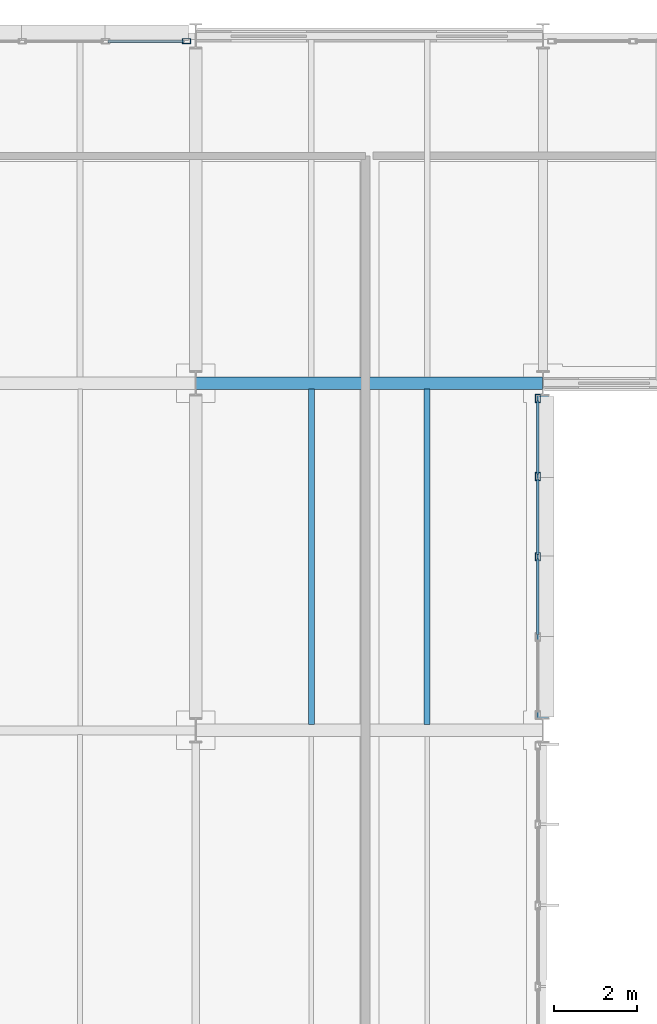
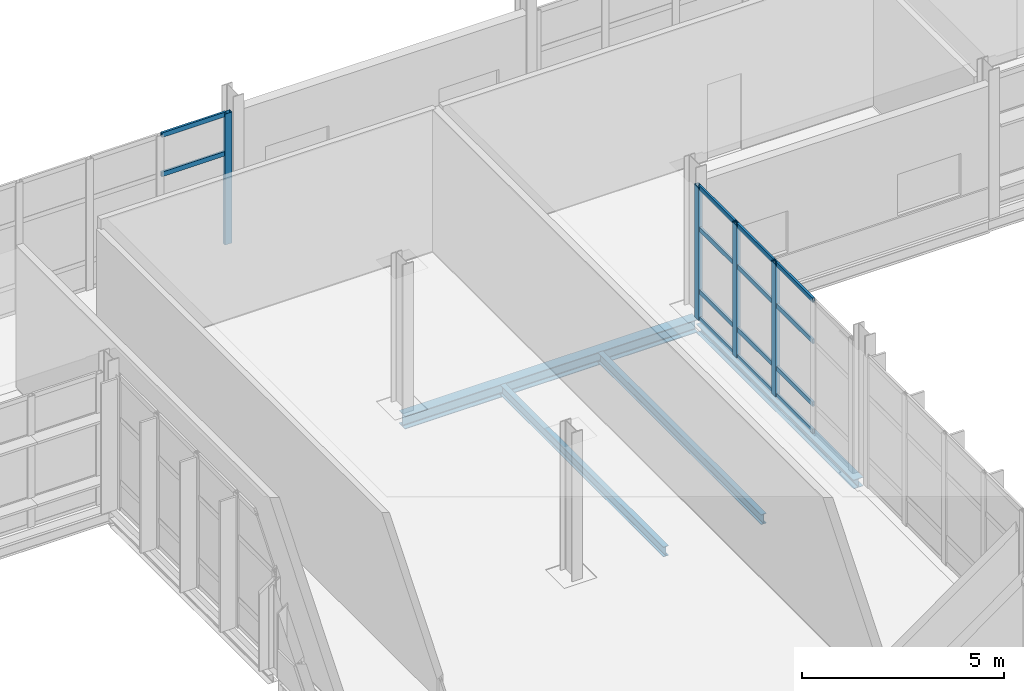
# One storey, part 57 of 129: 18 members, 4 beams, 2 elements without a shape of their own.
"""IFC4 building model written with IfcOpenShell, lengths in metres."""

from ifc_helpers import new_model, si_unit, direction, frame, origin, origin_2d, place, context, subcontext, project, spatial, hollow_rectangle, i_section, extrude, material, material_profile, profile_set, type_object, element, aggregate, save


model = new_model("IFC4")

# Units and contexts
model_context = context("Model", 3, precision=1e-05, world=origin(), true_north=direction((0.0, 1.0)))
body_context = subcontext(model_context, "Body", "Model", "MODEL_VIEW")
ifc_project = project(units=[si_unit("LENGTHUNIT", "METRE"), si_unit("AREAUNIT", "SQUARE_METRE"), si_unit("VOLUMEUNIT", "CUBIC_METRE"), si_unit("PLANEANGLEUNIT", "RADIAN"), si_unit("MASSUNIT", "GRAM", prefix="KILO")], contexts=[model_context])

# Site, building, storey
site_placement = place(None, origin())
site = spatial("IfcSite", under=ifc_project, at=site_placement, CompositionType="ELEMENT")
building_placement = place(site_placement, origin())
building = spatial("IfcBuilding", under=site, at=building_placement, Name="Mersafa Astral City Hall", CompositionType="ELEMENT")
storey_placement = place(building_placement, frame((0.0, 0.0, 5.39990234375)))
storey = spatial("IfcBuildingStorey", under=building, at=storey_placement, Name="L01", CompositionType="ELEMENT", Elevation=5.39990234375)

# Curtain wall, members
ifc_material_1 = material(Name="Anodised bronze aluminium framing", Category="aluminium")
curtain_wall_type = type_object("IfcCurtainWallType", Name="ENV-CW-6", PredefinedType="USERDEFINED", material=ifc_material_1)
curtain_wall_1_placement = place(storey_placement, origin())
curtain_wall_1 = element("IfcCurtainWall", 1, at=curtain_wall_1_placement, inside=storey, type_object=curtain_wall_type, Name="L01 Unitised solar curtain wall 59", ObjectType="UNITISED CURTAIN WALL", PredefinedType="USERDEFINED")
ifc_material_profile_1 = material_profile(ifc_material_1, hollow_rectangle(XDim=0.1201171875, YDim=0.199951171875, WallThickness=0.008056640625, at=origin_2d()), Name="RHS 120x200x8")
ifc_profile_set_1 = profile_set([ifc_material_profile_1], Name="Anodised bronze aluminium framing")
member_type_1 = type_object("IfcMemberType", Name="ENV-CW-MUL-2", PredefinedType="MULLION", material=ifc_profile_set_1)
member_1_placement = place(storey_placement, frame((117.47998046875, 113.39990234375, -0.001953125), z_axis=(0.0, 0.0, 1.0), x_axis=(-1.0, 0.0, 0.0)))
member_1 = element("IfcMember", 2, at=member_1_placement, type_object=member_type_1, Name="CW-6 mullion 3", PredefinedType="MULLION", context=body_context, shape_type="SweptSolid", body=[
    extrude(hollow_rectangle(XDim=0.1201171875, YDim=0.199951171875, WallThickness=0.008056640625, at=origin_2d()), origin(), (0.0, 0.0, 1.0), 4.029052734375),
])
member_2_placement = place(storey_placement, frame((117.47998046875, 115.343994140625, -0.001953125), z_axis=(0.0, 0.0, 1.0), x_axis=(-1.0, 0.0, 0.0)))
member_2 = element("IfcMember", 3, at=member_2_placement, type_object=member_type_1, Name="CW-6 mullion 4", PredefinedType="MULLION", context=body_context, shape_type="SweptSolid", body=[
    extrude(hollow_rectangle(XDim=0.1201171875, YDim=0.199951171875, WallThickness=0.008056640625, at=origin_2d()), origin(), (0.0, 0.0, 1.0), 4.029052734375),
])
member_3_placement = place(storey_placement, frame((117.47998046875, 117.22802734375, -0.001953125), z_axis=(0.0, 0.0, 1.0), x_axis=(-1.0, 0.0, 0.0)))
member_3 = element("IfcMember", 4, at=member_3_placement, type_object=member_type_1, Name="CW-6 mullion 5", PredefinedType="MULLION", context=body_context, shape_type="SweptSolid", body=[
    extrude(hollow_rectangle(XDim=0.1201171875, YDim=0.199951171875, WallThickness=0.008056640625, at=origin_2d()), origin(), (0.0, 0.0, 1.0), 4.029052734375),
])

# Curtain wall, member
curtain_wall_2_placement = place(storey_placement, origin())
curtain_wall_2 = element("IfcCurtainWall", 5, at=curtain_wall_2_placement, inside=storey, type_object=curtain_wall_type, Name="L01 Unitised solar curtain wall 77", ObjectType="UNITISED CURTAIN WALL", PredefinedType="USERDEFINED")
member_4_placement = place(storey_placement, frame((108.97802734375, 125.8798828125, -0.001953125), z_axis=(0.0, 0.0, 1.0), x_axis=(0.0, -1.0, 0.0)))
member_4 = element("IfcMember", 6, at=member_4_placement, type_object=member_type_1, Name="CW-6 mullion 1", PredefinedType="MULLION", context=body_context, shape_type="SweptSolid", body=[
    extrude(hollow_rectangle(XDim=0.1201171875, YDim=0.199951171875, WallThickness=0.008056640625, at=origin_2d()), origin(), (0.0, 0.0, 1.0), 3.968994140625),
])

# Member
ifc_material_profile_2 = material_profile(ifc_material_1, hollow_rectangle(XDim=0.06005859375, YDim=0.139892578125, WallThickness=0.00390625, at=origin_2d()), Name="RHS 60x140x4")
ifc_profile_set_2 = profile_set([ifc_material_profile_2], Name="Anodised bronze aluminium framing")
member_type_2 = type_object("IfcMemberType", Name="ENV-CW-TRN-1", PredefinedType="USERDEFINED", material=ifc_profile_set_2)
member_5_placement = place(storey_placement, frame((117.47998046875, 111.51611328125, 0.028076171875), z_axis=(0.0, 1.0, 0.0), x_axis=(-1.0, 0.0, 0.0)))
member_5 = element("IfcMember", 7, at=member_5_placement, type_object=member_type_2, Name="CW-6 transom 2.1", ObjectType="TRANSOM", PredefinedType="USERDEFINED", context=body_context, shape_type="SweptSolid", body=[
    extrude(hollow_rectangle(XDim=0.06005859375, YDim=0.139892578125, WallThickness=0.00390625, at=origin_2d()), origin(), (0.0, 0.0, 1.0), 1.823974609375),
])

member_6_placement = place(storey_placement, frame((117.47998046875, 111.51611328125, 0.85009765625), z_axis=(0.0, 1.0, 0.0), x_axis=(-1.0, 0.0, 0.0)))
member_6 = element("IfcMember", 8, at=member_6_placement, type_object=member_type_2, Name="CW-6 transom 2.2", ObjectType="TRANSOM", PredefinedType="USERDEFINED", context=body_context, shape_type="SweptSolid", body=[
    extrude(hollow_rectangle(XDim=0.06005859375, YDim=0.139892578125, WallThickness=0.00390625, at=origin_2d()), origin(), (0.0, 0.0, 1.0), 1.823974609375),
])

member_7_placement = place(storey_placement, frame((117.47998046875, 111.51611328125, 2.75), z_axis=(0.0, 1.0, 0.0), x_axis=(-1.0, 0.0, 0.0)))
member_7 = element("IfcMember", 9, at=member_7_placement, type_object=member_type_2, Name="CW-6 transom 2.3", ObjectType="TRANSOM", PredefinedType="USERDEFINED", context=body_context, shape_type="SweptSolid", body=[
    extrude(hollow_rectangle(XDim=0.06005859375, YDim=0.139892578125, WallThickness=0.00390625, at=origin_2d()), origin(), (0.0, 0.0, 1.0), 1.823974609375),
])

member_8_placement = place(storey_placement, frame((117.47998046875, 111.51611328125, 3.9970703125), z_axis=(0.0, 1.0, 0.0), x_axis=(-1.0, 0.0, 0.0)))
member_8 = element("IfcMember", 10, at=member_8_placement, type_object=member_type_2, Name="CW-6 transom 2.4", ObjectType="TRANSOM", PredefinedType="USERDEFINED", context=body_context, shape_type="SweptSolid", body=[
    extrude(hollow_rectangle(XDim=0.06005859375, YDim=0.139892578125, WallThickness=0.00390625, at=origin_2d()), origin(), (0.0, 0.0, 1.0), 1.823974609375),
])

member_9_placement = place(storey_placement, frame((117.47998046875, 113.4599609375, 0.028076171875), z_axis=(0.0, 1.0, 0.0), x_axis=(-1.0, 0.0, 0.0)))
member_9 = element("IfcMember", 11, at=member_9_placement, type_object=member_type_2, Name="CW-6 transom 3.1", ObjectType="TRANSOM", PredefinedType="USERDEFINED", context=body_context, shape_type="SweptSolid", body=[
    extrude(hollow_rectangle(XDim=0.06005859375, YDim=0.139892578125, WallThickness=0.00390625, at=origin_2d()), origin(), (0.0, 0.0, 1.0), 1.823974609375),
])

member_10_placement = place(storey_placement, frame((117.47998046875, 113.4599609375, 0.85009765625), z_axis=(0.0, 1.0, 0.0), x_axis=(-1.0, 0.0, 0.0)))
member_10 = element("IfcMember", 12, at=member_10_placement, type_object=member_type_2, Name="CW-6 transom 3.2", ObjectType="TRANSOM", PredefinedType="USERDEFINED", context=body_context, shape_type="SweptSolid", body=[
    extrude(hollow_rectangle(XDim=0.06005859375, YDim=0.139892578125, WallThickness=0.00390625, at=origin_2d()), origin(), (0.0, 0.0, 1.0), 1.823974609375),
])

member_11_placement = place(storey_placement, frame((117.47998046875, 113.4599609375, 2.75), z_axis=(0.0, 1.0, 0.0), x_axis=(-1.0, 0.0, 0.0)))
member_11 = element("IfcMember", 13, at=member_11_placement, type_object=member_type_2, Name="CW-6 transom 3.3", ObjectType="TRANSOM", PredefinedType="USERDEFINED", context=body_context, shape_type="SweptSolid", body=[
    extrude(hollow_rectangle(XDim=0.06005859375, YDim=0.139892578125, WallThickness=0.00390625, at=origin_2d()), origin(), (0.0, 0.0, 1.0), 1.823974609375),
])

member_12_placement = place(storey_placement, frame((117.47998046875, 113.4599609375, 3.9970703125), z_axis=(0.0, 1.0, 0.0), x_axis=(-1.0, 0.0, 0.0)))
member_12 = element("IfcMember", 14, at=member_12_placement, type_object=member_type_2, Name="CW-6 transom 3.4", ObjectType="TRANSOM", PredefinedType="USERDEFINED", context=body_context, shape_type="SweptSolid", body=[
    extrude(hollow_rectangle(XDim=0.06005859375, YDim=0.139892578125, WallThickness=0.00390625, at=origin_2d()), origin(), (0.0, 0.0, 1.0), 1.823974609375),
])

member_13_placement = place(storey_placement, frame((117.47998046875, 115.404052734375, 0.028076171875), z_axis=(0.0, 1.0, 0.0), x_axis=(-1.0, 0.0, 0.0)))
member_13 = element("IfcMember", 15, at=member_13_placement, type_object=member_type_2, Name="CW-6 transom 4.1", ObjectType="TRANSOM", PredefinedType="USERDEFINED", context=body_context, shape_type="SweptSolid", body=[
    extrude(hollow_rectangle(XDim=0.06005859375, YDim=0.139892578125, WallThickness=0.00390625, at=origin_2d()), origin(), (0.0, 0.0, 1.0), 1.763916015625),
])

member_14_placement = place(storey_placement, frame((117.47998046875, 115.404052734375, 0.85009765625), z_axis=(0.0, 1.0, 0.0), x_axis=(-1.0, 0.0, 0.0)))
member_14 = element("IfcMember", 16, at=member_14_placement, type_object=member_type_2, Name="CW-6 transom 4.2", ObjectType="TRANSOM", PredefinedType="USERDEFINED", context=body_context, shape_type="SweptSolid", body=[
    extrude(hollow_rectangle(XDim=0.06005859375, YDim=0.139892578125, WallThickness=0.00390625, at=origin_2d()), origin(), (0.0, 0.0, 1.0), 1.763916015625),
])

member_15_placement = place(storey_placement, frame((117.47998046875, 115.404052734375, 2.75), z_axis=(0.0, 1.0, 0.0), x_axis=(-1.0, 0.0, 0.0)))
member_15 = element("IfcMember", 17, at=member_15_placement, type_object=member_type_2, Name="CW-6 transom 4.3", ObjectType="TRANSOM", PredefinedType="USERDEFINED", context=body_context, shape_type="SweptSolid", body=[
    extrude(hollow_rectangle(XDim=0.06005859375, YDim=0.139892578125, WallThickness=0.00390625, at=origin_2d()), origin(), (0.0, 0.0, 1.0), 1.763916015625),
])

member_16_placement = place(storey_placement, frame((117.47998046875, 115.404052734375, 3.9970703125), z_axis=(0.0, 1.0, 0.0), x_axis=(-1.0, 0.0, 0.0)))
member_16 = element("IfcMember", 18, at=member_16_placement, type_object=member_type_2, Name="CW-6 transom 4.4", ObjectType="TRANSOM", PredefinedType="USERDEFINED", context=body_context, shape_type="SweptSolid", body=[
    extrude(hollow_rectangle(XDim=0.06005859375, YDim=0.139892578125, WallThickness=0.00390625, at=origin_2d()), origin(), (0.0, 0.0, 1.0), 1.763916015625),
])

aggregate(curtain_wall_1, [member_1, member_2, member_3, member_5, member_6, member_7, member_8, member_9, member_10, member_11, member_12, member_13, member_14, member_15, member_16])

member_17_placement = place(storey_placement, frame((108.91796875, 125.8798828125, 2.75), z_axis=(-1.0, 0.0, 0.0), x_axis=(0.0, -1.0, 0.0)))
member_17 = element("IfcMember", 19, at=member_17_placement, type_object=member_type_2, Name="CW-6 transom 1.3", ObjectType="TRANSOM", PredefinedType="USERDEFINED", context=body_context, shape_type="SweptSolid", body=[
    extrude(hollow_rectangle(XDim=0.06005859375, YDim=0.139892578125, WallThickness=0.00390625, at=origin_2d()), origin(), (0.0, 0.0, 1.0), 1.8388671875),
])

member_18_placement = place(storey_placement, frame((108.91796875, 125.8798828125, 3.93701171875), z_axis=(-1.0, 0.0, 0.0), x_axis=(0.0, -1.0, 0.0)))
member_18 = element("IfcMember", 20, at=member_18_placement, type_object=member_type_2, Name="CW-6 transom 1.4", ObjectType="TRANSOM", PredefinedType="USERDEFINED", context=body_context, shape_type="SweptSolid", body=[
    extrude(hollow_rectangle(XDim=0.06005859375, YDim=0.139892578125, WallThickness=0.00390625, at=origin_2d()), origin(), (0.0, 0.0, 1.0), 1.8388671875),
])

aggregate(curtain_wall_2, [member_4, member_17, member_18])

# Beams
ifc_material_2 = material(Name="Steel S355", Category="steel")
ifc_material_profile_3 = material_profile(ifc_material_2, i_section(OverallWidth=0.300048828125, OverallDepth=0.389892578125, WebThickness=0.010986328125, FlangeThickness=0.01904296875, FilletRadius=0.027099609375, at=origin_2d()), Name="HEA 400")
ifc_profile_set_3 = profile_set([ifc_material_profile_3], Name="Steel S355")
beam_type_1 = type_object("IfcBeamType", Name="STR-BM-HEA400", PredefinedType="BEAM", material=ifc_profile_set_3)
beam_1_placement = place(storey_placement, frame((109.202880859375, 117.60009765625, -0.419921875), z_axis=(1.0, 0.0, 0.0), x_axis=(0.0, 1.0, 0.0)))
element("IfcBeam", 21, at=beam_1_placement, inside=storey, type_object=beam_type_1, Name="L01 Primary girder X 13-14", PredefinedType="BEAM", context=body_context, shape_type="SweptSolid", body=[
    extrude(i_section(OverallWidth=0.300048828125, OverallDepth=0.389892578125, WebThickness=0.010986328125, FlangeThickness=0.01904296875, FilletRadius=0.027099609375, at=origin_2d()), origin(), (0.0, 0.0, 1.0), 8.39404296875),
])
ifc_material_profile_4 = material_profile(ifc_material_2, i_section(OverallWidth=0.14990234375, OverallDepth=0.300048828125, WebThickness=0.007080078125, FlangeThickness=0.0107421875, FilletRadius=0.014892578125, at=origin_2d()), Name="IPE 300")
ifc_profile_set_4 = profile_set([ifc_material_profile_4], Name="Steel S355")
beam_type_2 = type_object("IfcBeamType", Name="STR-BM-JOIST-IPE300", PredefinedType="JOIST", material=ifc_profile_set_4)
for number, where, z_axis, x_axis, name in (
    (22, (112.0, 109.344970703125, -0.375), (0.0, 1.0, 0.0), (-1.0, 0.0, 0.0), "L01 Composite secondary floor joist 328"),
    (23, (114.800048828125, 109.344970703125, -0.375), (0.0, 1.0, 0.0), (-1.0, 0.0, 0.0), "L01 Composite secondary floor joist 329"),
):
    element("IfcBeam", number, at=place(storey_placement, frame(where, z_axis=z_axis, x_axis=x_axis)), inside=storey, type_object=beam_type_2, Name=name, PredefinedType="JOIST", context=body_context, shape_type="SweptSolid", body=[
        extrude(i_section(OverallWidth=0.14990234375, OverallDepth=0.300048828125, WebThickness=0.007080078125, FlangeThickness=0.0107421875, FilletRadius=0.014892578125, at=origin_2d()), origin(), (0.0, 0.0, 1.0), 8.110107421875),
    ])
ifc_material_profile_5 = material_profile(ifc_material_2, i_section(OverallWidth=0.280029296875, OverallDepth=0.27001953125, WebThickness=0.008056640625, FlangeThickness=0.012939453125, FilletRadius=0.02392578125, at=origin_2d()), Name="HEA 280")
ifc_profile_set_5 = profile_set([ifc_material_profile_5], Name="Steel S355")
beam_type_3 = type_object("IfcBeamType", Name="STR-BM-SPANDREL-HEA280", PredefinedType="SPANDREL", material=ifc_profile_set_5)
beam_2_placement = place(storey_placement, frame((117.60009765625, 109.4951171875, -0.35986328125), z_axis=(0.0, 1.0, 0.0), x_axis=(-1.0, 0.0, 0.0)))
element("IfcBeam", 24, at=beam_2_placement, inside=storey, type_object=beam_type_3, Name="L01 Primary girder Y 14-13", PredefinedType="SPANDREL", context=body_context, shape_type="SweptSolid", body=[
    extrude(i_section(OverallWidth=0.280029296875, OverallDepth=0.27001953125, WebThickness=0.008056640625, FlangeThickness=0.012939453125, FilletRadius=0.02392578125, at=origin_2d()), origin(), (0.0, 0.0, 1.0), 7.809814453125),
])

save(model, "model.ifc")
